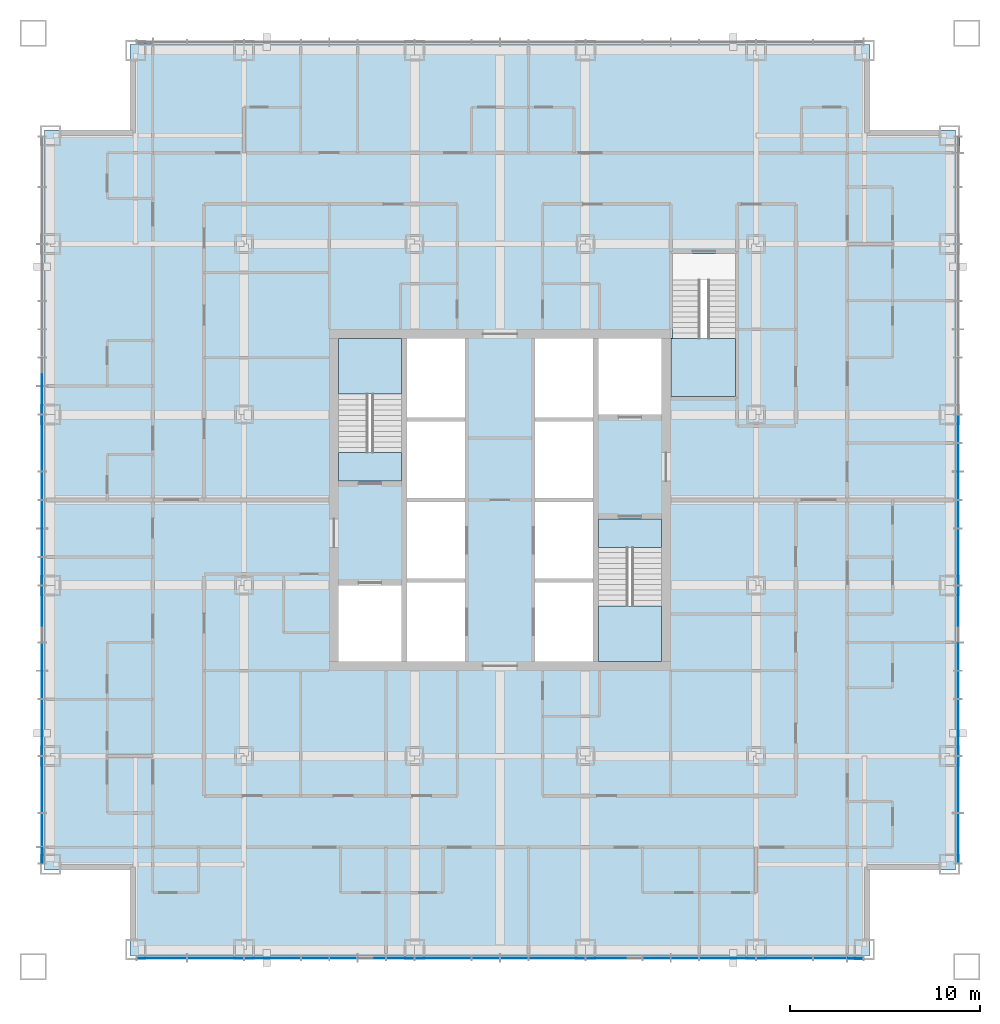
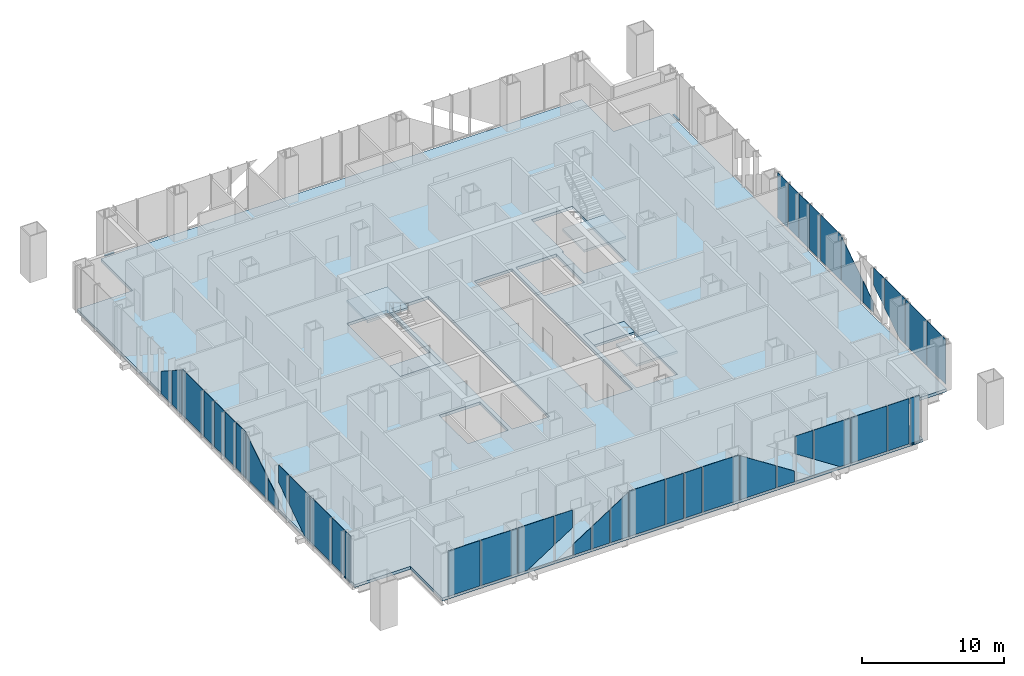
# One storey, part 7 of 14: 43 plates, 6 slabs, 4 members, 7 elements without a shape of their own.
"""IFC4 building model written with IfcOpenShell, lengths in metres."""

from ifc_helpers import new_model, si_unit, direction, frame, origin, origin_2d, place, context, subcontext, project, spatial, polyline, rectangle, outline, extrude, material, layer, layer_set, material_profile, profile_set, type_object, element, aggregate, save


model = new_model("IFC4")

# Units and contexts
model_context = context("Model", 3, precision=1e-05, world=origin(), true_north=direction((0.0, 1.0)))
body_context = subcontext(model_context, "Body", "Model", "MODEL_VIEW")
ifc_project = project(units=[si_unit("LENGTHUNIT", "METRE"), si_unit("AREAUNIT", "SQUARE_METRE"), si_unit("VOLUMEUNIT", "CUBIC_METRE"), si_unit("PLANEANGLEUNIT", "RADIAN"), si_unit("MASSUNIT", "GRAM", prefix="KILO")], contexts=[model_context])

# Site, building, storey
site_placement = place(None, origin())
site = spatial("IfcSite", under=ifc_project, at=site_placement, CompositionType="ELEMENT")
building_placement = place(site_placement, origin())
building = spatial("IfcBuilding", under=site, at=building_placement, Name="Malebo Sky Hospital", CompositionType="ELEMENT")
storey_placement = place(building_placement, frame((0.0, 0.0, 148.0)))
storey = spatial("IfcBuildingStorey", under=building, at=storey_placement, Name="L35", CompositionType="ELEMENT", Elevation=148.0)

# Curtain wall, member
ifc_material_1 = material(Name="Anodised aluminium, natural silver", Category="aluminium")
ifc_layer_1 = layer(ifc_material_1, 0.25)
ifc_layer_set_1 = layer_set([ifc_layer_1], Name="WARD CURTAIN WALL NORTH AND SOUTH")
curtain_wall_type_1 = type_object("IfcCurtainWallType", Name="WARD CURTAIN WALL NORTH AND SOUTH", PredefinedType="NOTDEFINED", material=ifc_layer_set_1)
curtain_wall_1_placement = place(storey_placement, origin())
curtain_wall_1 = element("IfcCurtainWall", 1, at=curtain_wall_1_placement, inside=storey, type_object=curtain_wall_type_1, Name="NS curtain wall N", PredefinedType="NOTDEFINED")
ifc_material_profile = material_profile(ifc_material_1, rectangle(XDim=0.14990234375, YDim=0.10009765625, at=origin_2d()), Name="ALUMINIUM TRANSOM 150x100")
ifc_profile_set = profile_set([ifc_material_profile], Name="Anodised aluminium, natural silver")
member_type = type_object("IfcMemberType", Name="ALUMINIUM TRANSOM 150x100", PredefinedType="USERDEFINED", material=ifc_profile_set)
member_1_placement = place(storey_placement, frame((40.875, 86.135009765625, 0.050048828125), z_axis=(1.0, 0.0, 0.0), x_axis=(0.0, 1.0, 0.0)))
member_1 = element("IfcMember", 2, at=member_1_placement, type_object=member_type, Name="Transom 1", ObjectType="TRANSOM", PredefinedType="USERDEFINED", context=body_context, shape_type="SweptSolid", body=[
    extrude(rectangle(XDim=0.14990234375, YDim=0.10009765625, at=origin_2d()), origin(), (0.0, 0.0, 1.0), 0.78759765625),
])
aggregate(curtain_wall_1, [member_1])

ifc_layer_2 = layer(ifc_material_1, 0.25)
ifc_layer_set_2 = layer_set([ifc_layer_2], Name="WARD CURTAIN WALL EAST AND WEST")
curtain_wall_type_2 = type_object("IfcCurtainWallType", Name="WARD CURTAIN WALL EAST AND WEST", PredefinedType="NOTDEFINED", material=ifc_layer_set_2)
curtain_wall_2_placement = place(storey_placement, origin())
curtain_wall_2 = element("IfcCurtainWall", 3, at=curtain_wall_2_placement, inside=storey, type_object=curtain_wall_type_2, Name="EW curtain wall W", PredefinedType="NOTDEFINED")
member_2_placement = place(storey_placement, frame((35.864990234375, 42.875, 0.050048828125), z_axis=(0.0, 1.0, 0.0), x_axis=(-1.0, 0.0, 0.0)))
member_2 = element("IfcMember", 4, at=member_2_placement, type_object=member_type, Name="Transom 1", ObjectType="TRANSOM", PredefinedType="USERDEFINED", context=body_context, shape_type="SweptSolid", body=[
    extrude(rectangle(XDim=0.14990234375, YDim=0.10009765625, at=origin_2d()), origin(), (0.0, 0.0, 1.0), 0.78759765625),
])

curtain_wall_3_placement = place(storey_placement, origin())
curtain_wall_3 = element("IfcCurtainWall", 5, at=curtain_wall_3_placement, inside=storey, type_object=curtain_wall_type_1, Name="NS curtain wall S", PredefinedType="NOTDEFINED")
member_3_placement = place(storey_placement, frame((79.125, 37.864990234375, 0.050048828125), z_axis=(-1.0, 0.0, 0.0), x_axis=(0.0, -1.0, 0.0)))
member_3 = element("IfcMember", 6, at=member_3_placement, type_object=member_type, Name="Transom 1", ObjectType="TRANSOM", PredefinedType="USERDEFINED", context=body_context, shape_type="SweptSolid", body=[
    extrude(rectangle(XDim=0.14990234375, YDim=0.10009765625, at=origin_2d()), origin(), (0.0, 0.0, 1.0), 0.78759765625),
])

curtain_wall_4_placement = place(storey_placement, origin())
curtain_wall_4 = element("IfcCurtainWall", 7, at=curtain_wall_4_placement, inside=storey, type_object=curtain_wall_type_2, Name="EW curtain wall E", PredefinedType="NOTDEFINED")
member_4_placement = place(storey_placement, frame((84.135009765625, 81.125, 0.050048828125), z_axis=(0.0, -1.0, 0.0), x_axis=(1.0, 0.0, 0.0)))
member_4 = element("IfcMember", 8, at=member_4_placement, type_object=member_type, Name="Transom 1", ObjectType="TRANSOM", PredefinedType="USERDEFINED", context=body_context, shape_type="SweptSolid", body=[
    extrude(rectangle(XDim=0.14990234375, YDim=0.10009765625, at=origin_2d()), origin(), (0.0, 0.0, 1.0), 0.78759765625),
])

# Slab
ifc_material_2 = material(Name="Concrete C40/50", Category="concrete")
ifc_layer_3 = layer(ifc_material_2, 0.25)
ifc_layer_set_3 = layer_set([ifc_layer_3], Name="COMPOSITE FLOOR SLAB 250")
slab_type_1 = type_object("IfcSlabType", Name="COMPOSITE FLOOR SLAB 250", PredefinedType="FLOOR", material=ifc_layer_set_3)
slab_1_placement = place(storey_placement, frame((0.0, 0.0, -0.25)))
element("IfcSlab", 9, at=slab_1_placement, inside=storey, type_object=slab_type_1, Name="Floor slab L35", PredefinedType="FLOOR", context=body_context, shape_type="SweptSolid", body=[
    extrude(outline(polyline([(40.5, 86.0), (40.5, 81.5), (36.0, 81.5), (36.0, 42.5), (40.5, 42.5), (40.5, 38.0), (79.5, 38.0), (79.5, 42.5), (84.0, 42.5), (84.0, 81.5), (79.5, 81.5), (79.5, 86.0), (40.5, 86.0)]), holes=[polyline([(55.10009765625, 70.5), (58.14990234375, 70.5), (58.14990234375, 53.5), (55.10009765625, 53.5), (55.10009765625, 70.5)]), polyline([(64.89990234375, 70.5), (64.89990234375, 53.5), (61.85009765625, 53.5), (61.85009765625, 70.5), (64.89990234375, 70.5)]), polyline([(54.800048828125, 63.0), (51.5, 63.0), (51.5, 70.5), (54.800048828125, 70.5), (54.800048828125, 63.0)]), polyline([(51.5, 53.5), (51.5, 57.5), (54.800048828125, 57.5), (54.800048828125, 53.5), (51.5, 53.5)]), polyline([(65.199951171875, 61.0), (68.5, 61.0), (68.5, 53.5), (65.199951171875, 53.5), (65.199951171875, 61.0)]), polyline([(68.5, 70.5), (68.5, 66.5), (65.199951171875, 66.5), (65.199951171875, 70.5), (68.5, 70.5)]), polyline([(69.0, 67.449951171875), (69.0, 70.52001953125), (69.10009765625, 70.52001953125), (69.10009765625, 75.0), (72.39990234375, 75.0), (72.39990234375, 67.449951171875), (69.10009765625, 67.449951171875), (69.0, 67.449951171875)])]), origin(), (0.0, 0.0, 1.0), 0.25),
])

# Stair, slabs
stair_type_1 = type_object("IfcStairType", Name="HALF-TURN STAIR 1500 R167", PredefinedType="HALF_TURN_STAIR", material=ifc_material_2)
stair_1_placement = place(storey_placement, origin())
stair_1 = element("IfcStair", 10, at=stair_1_placement, inside=storey, type_object=stair_type_1, Name="Stair S1 L35 type ST1", PredefinedType="HALF_TURN_STAIR")
ifc_layer_4 = layer(ifc_material_2, 0.199951171875)
ifc_layer_set_4 = layer_set([ifc_layer_4], Name="STAIR LANDING 200")
slab_type_2 = type_object("IfcSlabType", Name="STAIR LANDING 200", PredefinedType="LANDING", material=ifc_layer_set_4)
slab_2_placement = place(storey_placement, frame((0.0, 0.0, -0.199951171875)))
slab_2 = element("IfcSlab", 11, at=slab_2_placement, type_object=slab_type_2, Name="S1 landing 1", PredefinedType="LANDING", context=body_context, shape_type="SweptSolid", body=[
    extrude(outline(polyline([(51.5, 63.0), (54.800048828125, 63.0), (54.800048828125, 64.5), (51.5, 64.5), (51.5, 63.0)])), origin(), (0.0, 0.0, 1.0), 0.199951171875),
])
slab_3_placement = place(storey_placement, frame((0.0, 0.0, 1.800048828125)))
slab_3 = element("IfcSlab", 12, at=slab_3_placement, type_object=slab_type_2, Name="S1 landing 2", PredefinedType="LANDING", context=body_context, shape_type="SweptSolid", body=[
    extrude(outline(polyline([(51.5, 67.580078125), (54.800048828125, 67.580078125), (54.800048828125, 70.5), (51.5, 70.5), (51.5, 67.580078125)])), origin(), (0.0, 0.0, 1.0), 0.199951171875),
])
aggregate(stair_1, [slab_2, slab_3])

stair_2_placement = place(storey_placement, origin())
stair_2 = element("IfcStair", 13, at=stair_2_placement, inside=storey, type_object=stair_type_1, Name="Stair S2 L35 type ST1", PredefinedType="HALF_TURN_STAIR")
slab_4_placement = place(storey_placement, frame((0.0, 0.0, -0.199951171875)))
slab_4 = element("IfcSlab", 14, at=slab_4_placement, type_object=slab_type_2, Name="S2 landing 1", PredefinedType="LANDING", context=body_context, shape_type="SweptSolid", body=[
    extrude(outline(polyline([(65.199951171875, 59.5), (68.5, 59.5), (68.5, 61.0), (65.199951171875, 61.0), (65.199951171875, 59.5)])), origin(), (0.0, 0.0, 1.0), 0.199951171875),
])
slab_5_placement = place(storey_placement, frame((0.0, 0.0, 1.800048828125)))
slab_5 = element("IfcSlab", 15, at=slab_5_placement, type_object=slab_type_2, Name="S2 landing 2", PredefinedType="LANDING", context=body_context, shape_type="SweptSolid", body=[
    extrude(outline(polyline([(65.199951171875, 53.5), (68.5, 53.5), (68.5, 56.419921875), (65.199951171875, 56.419921875), (65.199951171875, 53.5)])), origin(), (0.0, 0.0, 1.0), 0.199951171875),
])
aggregate(stair_2, [slab_4, slab_5])

# Stair, slab
stair_type_2 = type_object("IfcStairType", Name="HALF-TURN STAIR 1400 R167", PredefinedType="HALF_TURN_STAIR", material=ifc_material_2)
stair_3_placement = place(storey_placement, origin())
stair_3 = element("IfcStair", 16, at=stair_3_placement, inside=storey, type_object=stair_type_2, Name="Stair S3 L35 type ST1B", PredefinedType="HALF_TURN_STAIR")
slab_6_placement = place(storey_placement, frame((0.0, 0.0, 1.800048828125)))
slab_6 = element("IfcSlab", 17, at=slab_6_placement, type_object=slab_type_2, Name="S3 landing 2", PredefinedType="LANDING", context=body_context, shape_type="SweptSolid", body=[
    extrude(outline(polyline([(69.0, 67.449951171875), (72.39990234375, 67.449951171875), (72.39990234375, 70.52001953125), (69.0, 70.52001953125), (69.0, 67.449951171875)])), origin(), (0.0, 0.0, 1.0), 0.199951171875),
])
aggregate(stair_3, [slab_6])

# Plate
ifc_material_3 = material(Name="Clear low-iron double glazing", Category="glass")
ifc_layer_5 = layer(ifc_material_3, 0.031982421875)
ifc_layer_set_5 = layer_set([ifc_layer_5], Name="VISION PANEL CLEAR 32")
plate_type = type_object("IfcPlateType", Name="VISION PANEL CLEAR 32", PredefinedType="CURTAIN_PANEL", material=ifc_layer_set_5)
plate_1_placement = place(storey_placement, frame((35.864990234375, 43.268798828125, 0.10009765625), z_axis=(0.0, 0.0, 1.0), x_axis=(0.0, 1.0, 0.0)))
plate_1 = element("IfcPlate", 18, at=plate_1_placement, type_object=plate_type, Name="Panel 1", PredefinedType="CURTAIN_PANEL", context=body_context, shape_type="SweptSolid", body=[
    extrude(rectangle(XDim=0.78759765625, YDim=0.031982421875, at=origin_2d()), origin(), (0.0, 0.0, 1.0), 3.889892578125),
])

plate_2_placement = place(storey_placement, frame((35.864990234375, 44.60009765625, 0.10009765625), z_axis=(0.0, 0.0, 1.0), x_axis=(0.0, 1.0, 0.0)))
plate_2 = element("IfcPlate", 19, at=plate_2_placement, type_object=plate_type, Name="Panel 2", PredefinedType="CURTAIN_PANEL", context=body_context, shape_type="SweptSolid", body=[
    extrude(rectangle(XDim=1.72509765625, YDim=0.031982421875, at=origin_2d()), origin(), (0.0, 0.0, 1.0), 3.889892578125),
])

plate_3_placement = place(storey_placement, frame((35.864990234375, 47.0, 0.10009765625), z_axis=(0.0, 0.0, 1.0), x_axis=(0.0, 1.0, 0.0)))
plate_3 = element("IfcPlate", 20, at=plate_3_placement, type_object=plate_type, Name="Panel 3", PredefinedType="CURTAIN_PANEL", context=body_context, shape_type="SweptSolid", body=[
    extrude(rectangle(XDim=2.925048828125, YDim=0.031982421875, at=origin_2d()), origin(), (0.0, 0.0, 1.0), 3.889892578125),
])

plate_4_placement = place(storey_placement, frame((35.864990234375, 50.0, 0.10009765625), z_axis=(0.0, 0.0, 1.0), x_axis=(0.0, 1.0, 0.0)))
plate_4 = element("IfcPlate", 21, at=plate_4_placement, type_object=plate_type, Name="Panel 4", PredefinedType="CURTAIN_PANEL", context=body_context, shape_type="SweptSolid", body=[
    extrude(outline(polyline([(-1.46240234375, 0.0), (-0.6787109375, 0.0), (1.46240234375, 1.392578125), (1.46240234375, 3.889892578125), (-1.46240234375, 3.889892578125), (-1.46240234375, 0.0)])), frame((0.0, 0.01611328125, 0.0), z_axis=(0.0, -1.0, 0.0), x_axis=(1.0, 0.0, 0.0)), (0.0, 0.0, 1.0), 0.031982421875),
])

plate_5_placement = place(storey_placement, frame((35.864990234375, 52.25, 1.54150390625), z_axis=(0.0, 0.0, 1.0), x_axis=(0.0, 1.0, 0.0)))
plate_5 = element("IfcPlate", 22, at=plate_5_placement, type_object=plate_type, Name="Panel 5", PredefinedType="CURTAIN_PANEL", context=body_context, shape_type="SweptSolid", body=[
    extrude(outline(polyline([(-0.71240234375, 0.0), (0.71240234375, 0.9267578125), (0.71240234375, 2.448486328125), (-0.71240234375, 2.448486328125), (-0.71240234375, 0.0)])), frame((0.0, 0.01611328125, 0.0), z_axis=(0.0, -1.0, 0.0), x_axis=(1.0, 0.0, 0.0)), (0.0, 0.0, 1.0), 0.031982421875),
])

plate_6_placement = place(storey_placement, frame((35.864990234375, 53.75, 0.099853515625), z_axis=(0.0, 0.0, 1.0), x_axis=(0.0, 1.0, 0.0)))
plate_6 = element("IfcPlate", 23, at=plate_6_placement, type_object=plate_type, Name="Panel 6", PredefinedType="CURTAIN_PANEL", context=body_context, shape_type="SweptSolid", body=[
    extrude(outline(polyline([(-0.71240234375, 0.0), (0.71240234375, 0.0), (0.71240234375, 1.8515625), (-0.71240234375, 0.9248046875), (-0.71240234375, 0.0)])), frame((0.0, 0.01611328125, 0.0), z_axis=(0.0, -1.0, 0.0), x_axis=(1.0, 0.0, 0.0)), (0.0, 0.0, 1.0), 0.031982421875),
])

plate_7_placement = place(storey_placement, frame((35.864990234375, 56.0, 0.10009765625), z_axis=(0.0, 0.0, 1.0), x_axis=(0.0, 1.0, 0.0)))
plate_7 = element("IfcPlate", 24, at=plate_7_placement, type_object=plate_type, Name="Panel 7", PredefinedType="CURTAIN_PANEL", context=body_context, shape_type="SweptSolid", body=[
    extrude(outline(polyline([(-1.46240234375, 0.0), (1.46240234375, 0.0), (1.46240234375, 3.802734375), (-1.46240234375, 1.900390625), (-1.46240234375, 0.0)])), frame((0.0, 0.01611328125, 0.0), z_axis=(0.0, -1.0, 0.0), x_axis=(1.0, 0.0, 0.0)), (0.0, 0.0, 1.0), 0.031982421875),
])

plate_8_placement = place(storey_placement, frame((35.864990234375, 58.25, 0.10009765625), z_axis=(0.0, 0.0, 1.0), x_axis=(0.0, 1.0, 0.0)))
plate_8 = element("IfcPlate", 25, at=plate_8_placement, type_object=plate_type, Name="Panel 8", PredefinedType="CURTAIN_PANEL", context=body_context, shape_type="SweptSolid", body=[
    extrude(outline(polyline([(-0.71240234375, 0.0), (0.71240234375, 0.0), (0.71240234375, 3.889892578125), (-0.6533203125, 3.889892578125), (-0.71240234375, 3.8515625), (-0.71240234375, 0.0)])), frame((0.0, 0.01611328125, 0.0), z_axis=(0.0, -1.0, 0.0), x_axis=(1.0, 0.0, 0.0)), (0.0, 0.0, 1.0), 0.031982421875),
])

plate_9_placement = place(storey_placement, frame((35.864990234375, 59.75, 0.10009765625), z_axis=(0.0, 0.0, 1.0), x_axis=(0.0, 1.0, 0.0)))
plate_9 = element("IfcPlate", 26, at=plate_9_placement, type_object=plate_type, Name="Panel 9", PredefinedType="CURTAIN_PANEL", context=body_context, shape_type="SweptSolid", body=[
    extrude(rectangle(XDim=1.425048828125, YDim=0.031982421875, at=origin_2d()), origin(), (0.0, 0.0, 1.0), 3.889892578125),
])

plate_10_placement = place(storey_placement, frame((35.864990234375, 61.25, 0.10009765625), z_axis=(0.0, 0.0, 1.0), x_axis=(0.0, 1.0, 0.0)))
plate_10 = element("IfcPlate", 27, at=plate_10_placement, type_object=plate_type, Name="Panel 10", PredefinedType="CURTAIN_PANEL", context=body_context, shape_type="SweptSolid", body=[
    extrude(rectangle(XDim=1.425048828125, YDim=0.031982421875, at=origin_2d()), origin(), (0.0, 0.0, 1.0), 3.889892578125),
])

plate_11_placement = place(storey_placement, frame((35.864990234375, 62.75, 0.10009765625), z_axis=(0.0, 0.0, 1.0), x_axis=(0.0, 1.0, 0.0)))
plate_11 = element("IfcPlate", 28, at=plate_11_placement, type_object=plate_type, Name="Panel 11", PredefinedType="CURTAIN_PANEL", context=body_context, shape_type="SweptSolid", body=[
    extrude(rectangle(XDim=1.425048828125, YDim=0.031982421875, at=origin_2d()), origin(), (0.0, 0.0, 1.0), 3.889892578125),
])

plate_12_placement = place(storey_placement, frame((35.864990234375, 65.0, 0.10009765625), z_axis=(0.0, 0.0, 1.0), x_axis=(0.0, 1.0, 0.0)))
plate_12 = element("IfcPlate", 29, at=plate_12_placement, type_object=plate_type, Name="Panel 12", PredefinedType="CURTAIN_PANEL", context=body_context, shape_type="SweptSolid", body=[
    extrude(outline(polyline([(-1.46240234375, 0.0), (1.46240234375, 0.0), (1.46240234375, 3.8515625), (1.4033203125, 3.889892578125), (-1.46240234375, 3.889892578125), (-1.46240234375, 0.0)])), frame((0.0, 0.01611328125, 0.0), z_axis=(0.0, -1.0, 0.0), x_axis=(1.0, 0.0, 0.0)), (0.0, 0.0, 1.0), 0.031982421875),
])

plate_13_placement = place(storey_placement, frame((35.864990234375, 67.25, 0.10009765625), z_axis=(0.0, 0.0, 1.0), x_axis=(0.0, 1.0, 0.0)))
plate_13 = element("IfcPlate", 30, at=plate_13_placement, type_object=plate_type, Name="Panel 13", PredefinedType="CURTAIN_PANEL", context=body_context, shape_type="SweptSolid", body=[
    extrude(outline(polyline([(-0.71240234375, 0.0), (0.71240234375, 0.0), (0.71240234375, 2.8759765625), (-0.71240234375, 3.802734375), (-0.71240234375, 0.0)])), frame((0.0, 0.01611328125, 0.0), z_axis=(0.0, -1.0, 0.0), x_axis=(1.0, 0.0, 0.0)), (0.0, 0.0, 1.0), 0.031982421875),
])

plate_14_placement = place(storey_placement, frame((35.864990234375, 68.75, 0.10009765625), z_axis=(0.0, 0.0, 1.0), x_axis=(0.0, 1.0, 0.0)))
plate_14 = element("IfcPlate", 31, at=plate_14_placement, type_object=plate_type, Name="Panel 14", PredefinedType="CURTAIN_PANEL", context=body_context, shape_type="SweptSolid", body=[
    extrude(outline(polyline([(-0.71240234375, 0.0), (0.71240234375, 0.0), (0.71240234375, 1.900390625), (-0.71240234375, 2.8271484375), (-0.71240234375, 0.0)])), frame((0.0, 0.01611328125, 0.0), z_axis=(0.0, -1.0, 0.0), x_axis=(1.0, 0.0, 0.0)), (0.0, 0.0, 1.0), 0.031982421875),
])

aggregate(curtain_wall_2, [member_2, plate_1, plate_2, plate_3, plate_4, plate_5, plate_6, plate_7, plate_8, plate_9, plate_10, plate_11, plate_12, plate_13, plate_14])

plate_15_placement = place(storey_placement, frame((78.731201171875, 37.864990234375, 0.10009765625), z_axis=(0.0, 0.0, 1.0), x_axis=(-1.0, 0.0, 0.0)))
plate_15 = element("IfcPlate", 32, at=plate_15_placement, type_object=plate_type, Name="Panel 1", PredefinedType="CURTAIN_PANEL", context=body_context, shape_type="SweptSolid", body=[
    extrude(rectangle(XDim=0.78759765625, YDim=0.031982421875, at=origin_2d()), origin(), (0.0, 0.0, 1.0), 3.889892578125),
])

plate_16_placement = place(storey_placement, frame((77.39990234375, 37.864990234375, 0.10009765625), z_axis=(0.0, 0.0, 1.0), x_axis=(-1.0, 0.0, 0.0)))
plate_16 = element("IfcPlate", 33, at=plate_16_placement, type_object=plate_type, Name="Panel 2", PredefinedType="CURTAIN_PANEL", context=body_context, shape_type="SweptSolid", body=[
    extrude(rectangle(XDim=1.72509765625, YDim=0.031982421875, at=origin_2d()), origin(), (0.0, 0.0, 1.0), 3.889892578125),
])

plate_17_placement = place(storey_placement, frame((75.0, 37.864990234375, 0.10009765625), z_axis=(0.0, 0.0, 1.0), x_axis=(-1.0, 0.0, 0.0)))
plate_17 = element("IfcPlate", 34, at=plate_17_placement, type_object=plate_type, Name="Panel 3", PredefinedType="CURTAIN_PANEL", context=body_context, shape_type="SweptSolid", body=[
    extrude(rectangle(XDim=2.925048828125, YDim=0.031982421875, at=origin_2d()), origin(), (0.0, 0.0, 1.0), 3.889892578125),
])

plate_18_placement = place(storey_placement, frame((72.0, 37.864990234375, 0.10009765625), z_axis=(0.0, 0.0, 1.0), x_axis=(-1.0, 0.0, 0.0)))
plate_18 = element("IfcPlate", 35, at=plate_18_placement, type_object=plate_type, Name="Panel 4", PredefinedType="CURTAIN_PANEL", context=body_context, shape_type="SweptSolid", body=[
    extrude(outline(polyline([(-1.46240234375, 0.0), (-0.6787109375, 0.0), (1.46240234375, 1.392578125), (1.46240234375, 3.889892578125), (-1.46240234375, 3.889892578125), (-1.46240234375, 0.0)])), frame((0.0, 0.01611328125, 0.0), z_axis=(0.0, -1.0, 0.0), x_axis=(1.0, 0.0, 0.0)), (0.0, 0.0, 1.0), 0.031982421875),
])

plate_19_placement = place(storey_placement, frame((69.75, 37.864990234375, 1.54150390625), z_axis=(0.0, 0.0, 1.0), x_axis=(-1.0, 0.0, 0.0)))
plate_19 = element("IfcPlate", 36, at=plate_19_placement, type_object=plate_type, Name="Panel 5", PredefinedType="CURTAIN_PANEL", context=body_context, shape_type="SweptSolid", body=[
    extrude(outline(polyline([(-0.71240234375, 0.0), (0.71240234375, 0.9267578125), (0.71240234375, 2.448486328125), (-0.71240234375, 2.448486328125), (-0.71240234375, 0.0)])), frame((0.0, 0.01611328125, 0.0), z_axis=(0.0, -1.0, 0.0), x_axis=(1.0, 0.0, 0.0)), (0.0, 0.0, 1.0), 0.031982421875),
])

plate_20_placement = place(storey_placement, frame((68.25, 37.864990234375, 0.099853515625), z_axis=(0.0, 0.0, 1.0), x_axis=(-1.0, 0.0, 0.0)))
plate_20 = element("IfcPlate", 37, at=plate_20_placement, type_object=plate_type, Name="Panel 6", PredefinedType="CURTAIN_PANEL", context=body_context, shape_type="SweptSolid", body=[
    extrude(outline(polyline([(-0.71240234375, 0.0), (0.71240234375, 0.0), (0.71240234375, 1.8515625), (-0.71240234375, 0.9248046875), (-0.71240234375, 0.0)])), frame((0.0, 0.01611328125, 0.0), z_axis=(0.0, -1.0, 0.0), x_axis=(1.0, 0.0, 0.0)), (0.0, 0.0, 1.0), 0.031982421875),
])

plate_21_placement = place(storey_placement, frame((66.0, 37.864990234375, 0.10009765625), z_axis=(0.0, 0.0, 1.0), x_axis=(-1.0, 0.0, 0.0)))
plate_21 = element("IfcPlate", 38, at=plate_21_placement, type_object=plate_type, Name="Panel 7", PredefinedType="CURTAIN_PANEL", context=body_context, shape_type="SweptSolid", body=[
    extrude(outline(polyline([(-1.46240234375, 0.0), (1.46240234375, 0.0), (1.46240234375, 3.802734375), (-1.46240234375, 1.900390625), (-1.46240234375, 0.0)])), frame((0.0, 0.01611328125, 0.0), z_axis=(0.0, -1.0, 0.0), x_axis=(1.0, 0.0, 0.0)), (0.0, 0.0, 1.0), 0.031982421875),
])

plate_22_placement = place(storey_placement, frame((63.0, 37.864990234375, 0.10009765625), z_axis=(0.0, 0.0, 1.0), x_axis=(-1.0, 0.0, 0.0)))
plate_22 = element("IfcPlate", 39, at=plate_22_placement, type_object=plate_type, Name="Panel 8", PredefinedType="CURTAIN_PANEL", context=body_context, shape_type="SweptSolid", body=[
    extrude(outline(polyline([(-1.46240234375, 0.0), (1.46240234375, 0.0), (1.46240234375, 3.889892578125), (-1.4033203125, 3.889892578125), (-1.46240234375, 3.8515625), (-1.46240234375, 0.0)])), frame((0.0, 0.01611328125, 0.0), z_axis=(0.0, -1.0, 0.0), x_axis=(1.0, 0.0, 0.0)), (0.0, 0.0, 1.0), 0.031982421875),
])

plate_23_placement = place(storey_placement, frame((60.75, 37.864990234375, 0.10009765625), z_axis=(0.0, 0.0, 1.0), x_axis=(-1.0, 0.0, 0.0)))
plate_23 = element("IfcPlate", 40, at=plate_23_placement, type_object=plate_type, Name="Panel 9", PredefinedType="CURTAIN_PANEL", context=body_context, shape_type="SweptSolid", body=[
    extrude(rectangle(XDim=1.425048828125, YDim=0.031982421875, at=origin_2d()), origin(), (0.0, 0.0, 1.0), 3.889892578125),
])

plate_24_placement = place(storey_placement, frame((59.25, 37.864990234375, 0.10009765625), z_axis=(0.0, 0.0, 1.0), x_axis=(-1.0, 0.0, 0.0)))
plate_24 = element("IfcPlate", 41, at=plate_24_placement, type_object=plate_type, Name="Panel 10", PredefinedType="CURTAIN_PANEL", context=body_context, shape_type="SweptSolid", body=[
    extrude(rectangle(XDim=1.425048828125, YDim=0.031982421875, at=origin_2d()), origin(), (0.0, 0.0, 1.0), 3.889892578125),
])

plate_25_placement = place(storey_placement, frame((57.0, 37.864990234375, 0.10009765625), z_axis=(0.0, 0.0, 1.0), x_axis=(-1.0, 0.0, 0.0)))
plate_25 = element("IfcPlate", 42, at=plate_25_placement, type_object=plate_type, Name="Panel 11", PredefinedType="CURTAIN_PANEL", context=body_context, shape_type="SweptSolid", body=[
    extrude(outline(polyline([(-1.46240234375, 0.0), (1.46240234375, 0.0), (1.46240234375, 3.8515625), (1.4033203125, 3.889892578125), (-1.46240234375, 3.889892578125), (-1.46240234375, 0.0)])), frame((0.0, 0.01611328125, 0.0), z_axis=(0.0, -1.0, 0.0), x_axis=(1.0, 0.0, 0.0)), (0.0, 0.0, 1.0), 0.031982421875),
])

plate_26_placement = place(storey_placement, frame((54.75, 37.864990234375, 0.10009765625), z_axis=(0.0, 0.0, 1.0), x_axis=(-1.0, 0.0, 0.0)))
plate_26 = element("IfcPlate", 43, at=plate_26_placement, type_object=plate_type, Name="Panel 12", PredefinedType="CURTAIN_PANEL", context=body_context, shape_type="SweptSolid", body=[
    extrude(outline(polyline([(-0.71240234375, 0.0), (0.71240234375, 0.0), (0.71240234375, 2.8759765625), (-0.71240234375, 3.802734375), (-0.71240234375, 0.0)])), frame((0.0, 0.01611328125, 0.0), z_axis=(0.0, -1.0, 0.0), x_axis=(1.0, 0.0, 0.0)), (0.0, 0.0, 1.0), 0.031982421875),
])

plate_27_placement = place(storey_placement, frame((53.25, 37.864990234375, 0.10009765625), z_axis=(0.0, 0.0, 1.0), x_axis=(-1.0, 0.0, 0.0)))
plate_27 = element("IfcPlate", 44, at=plate_27_placement, type_object=plate_type, Name="Panel 13", PredefinedType="CURTAIN_PANEL", context=body_context, shape_type="SweptSolid", body=[
    extrude(outline(polyline([(-0.71240234375, 0.0), (0.71240234375, 0.0), (0.71240234375, 1.900390625), (-0.71240234375, 2.8271484375), (-0.71240234375, 0.0)])), frame((0.0, 0.01611328125, 0.0), z_axis=(0.0, -1.0, 0.0), x_axis=(1.0, 0.0, 0.0)), (0.0, 0.0, 1.0), 0.031982421875),
])

plate_28_placement = place(storey_placement, frame((51.75, 37.864990234375, 0.099853515625), z_axis=(0.0, 0.0, 1.0), x_axis=(-1.0, 0.0, 0.0)))
plate_28 = element("IfcPlate", 45, at=plate_28_placement, type_object=plate_type, Name="Panel 14", PredefinedType="CURTAIN_PANEL", context=body_context, shape_type="SweptSolid", body=[
    extrude(outline(polyline([(-0.71240234375, 0.0), (0.71240234375, 0.0), (0.71240234375, 0.9248046875), (-0.71240234375, 1.8515625), (-0.71240234375, 0.0)])), frame((0.0, 0.01611328125, 0.0), z_axis=(0.0, -1.0, 0.0), x_axis=(1.0, 0.0, 0.0)), (0.0, 0.0, 1.0), 0.031982421875),
])

plate_29_placement = place(storey_placement, frame((50.25, 37.864990234375, 1.54150390625), z_axis=(0.0, 0.0, 1.0), x_axis=(-1.0, 0.0, 0.0)))
plate_29 = element("IfcPlate", 46, at=plate_29_placement, type_object=plate_type, Name="Panel 15", PredefinedType="CURTAIN_PANEL", context=body_context, shape_type="SweptSolid", body=[
    extrude(outline(polyline([(0.71240234375, 0.0), (0.71240234375, 2.448486328125), (-0.71240234375, 2.448486328125), (-0.71240234375, 0.9267578125), (0.71240234375, 0.0)])), frame((0.0, 0.01611328125, 0.0), z_axis=(0.0, -1.0, 0.0), x_axis=(1.0, 0.0, 0.0)), (0.0, 0.0, 1.0), 0.031982421875),
])

plate_30_placement = place(storey_placement, frame((48.0, 37.864990234375, 0.10009765625), z_axis=(0.0, 0.0, 1.0), x_axis=(-1.0, 0.0, 0.0)))
plate_30 = element("IfcPlate", 47, at=plate_30_placement, type_object=plate_type, Name="Panel 16", PredefinedType="CURTAIN_PANEL", context=body_context, shape_type="SweptSolid", body=[
    extrude(outline(polyline([(0.6787109375, 0.0), (1.46240234375, 0.0), (1.46240234375, 3.889892578125), (-1.46240234375, 3.889892578125), (-1.46240234375, 1.392578125), (0.6787109375, 0.0)])), frame((0.0, 0.01611328125, 0.0), z_axis=(0.0, -1.0, 0.0), x_axis=(1.0, 0.0, 0.0)), (0.0, 0.0, 1.0), 0.031982421875),
])

plate_31_placement = place(storey_placement, frame((45.0, 37.864990234375, 0.10009765625), z_axis=(0.0, 0.0, 1.0), x_axis=(-1.0, 0.0, 0.0)))
plate_31 = element("IfcPlate", 48, at=plate_31_placement, type_object=plate_type, Name="Panel 17", PredefinedType="CURTAIN_PANEL", context=body_context, shape_type="SweptSolid", body=[
    extrude(rectangle(XDim=2.925048828125, YDim=0.031982421875, at=origin_2d()), origin(), (0.0, 0.0, 1.0), 3.889892578125),
])

plate_32_placement = place(storey_placement, frame((42.168701171875, 37.864990234375, 0.10009765625), z_axis=(0.0, 0.0, 1.0), x_axis=(-1.0, 0.0, 0.0)))
plate_32 = element("IfcPlate", 49, at=plate_32_placement, type_object=plate_type, Name="Panel 18", PredefinedType="CURTAIN_PANEL", context=body_context, shape_type="SweptSolid", body=[
    extrude(rectangle(XDim=2.58740234375, YDim=0.031982421875, at=origin_2d()), origin(), (0.0, 0.0, 1.0), 3.889892578125),
])

aggregate(curtain_wall_3, [member_3, plate_15, plate_16, plate_17, plate_18, plate_19, plate_20, plate_21, plate_22, plate_23, plate_24, plate_25, plate_26, plate_27, plate_28, plate_29, plate_30, plate_31, plate_32])

plate_33_placement = place(storey_placement, frame((84.135009765625, 65.75, 0.10009765625), z_axis=(0.0, 0.0, 1.0), x_axis=(0.0, -1.0, 0.0)))
plate_33 = element("IfcPlate", 50, at=plate_33_placement, type_object=plate_type, Name="Panel 8", PredefinedType="CURTAIN_PANEL", context=body_context, shape_type="SweptSolid", body=[
    extrude(outline(polyline([(-0.71240234375, 0.0), (0.71240234375, 0.0), (0.71240234375, 3.889892578125), (-0.6533203125, 3.889892578125), (-0.71240234375, 3.8515625), (-0.71240234375, 0.0)])), frame((0.0, 0.01611328125, 0.0), z_axis=(0.0, -1.0, 0.0), x_axis=(1.0, 0.0, 0.0)), (0.0, 0.0, 1.0), 0.031982421875),
])

plate_34_placement = place(storey_placement, frame((84.135009765625, 64.25, 0.10009765625), z_axis=(0.0, 0.0, 1.0), x_axis=(0.0, -1.0, 0.0)))
plate_34 = element("IfcPlate", 51, at=plate_34_placement, type_object=plate_type, Name="Panel 9", PredefinedType="CURTAIN_PANEL", context=body_context, shape_type="SweptSolid", body=[
    extrude(rectangle(XDim=1.425048828125, YDim=0.031982421875, at=origin_2d()), origin(), (0.0, 0.0, 1.0), 3.889892578125),
])

plate_35_placement = place(storey_placement, frame((84.135009765625, 62.75, 0.10009765625), z_axis=(0.0, 0.0, 1.0), x_axis=(0.0, -1.0, 0.0)))
plate_35 = element("IfcPlate", 52, at=plate_35_placement, type_object=plate_type, Name="Panel 10", PredefinedType="CURTAIN_PANEL", context=body_context, shape_type="SweptSolid", body=[
    extrude(rectangle(XDim=1.425048828125, YDim=0.031982421875, at=origin_2d()), origin(), (0.0, 0.0, 1.0), 3.889892578125),
])

plate_36_placement = place(storey_placement, frame((84.135009765625, 61.25, 0.10009765625), z_axis=(0.0, 0.0, 1.0), x_axis=(0.0, -1.0, 0.0)))
plate_36 = element("IfcPlate", 53, at=plate_36_placement, type_object=plate_type, Name="Panel 11", PredefinedType="CURTAIN_PANEL", context=body_context, shape_type="SweptSolid", body=[
    extrude(rectangle(XDim=1.425048828125, YDim=0.031982421875, at=origin_2d()), origin(), (0.0, 0.0, 1.0), 3.889892578125),
])

plate_37_placement = place(storey_placement, frame((84.135009765625, 59.0, 0.10009765625), z_axis=(0.0, 0.0, 1.0), x_axis=(0.0, -1.0, 0.0)))
plate_37 = element("IfcPlate", 54, at=plate_37_placement, type_object=plate_type, Name="Panel 12", PredefinedType="CURTAIN_PANEL", context=body_context, shape_type="SweptSolid", body=[
    extrude(outline(polyline([(-1.46240234375, 0.0), (1.46240234375, 0.0), (1.46240234375, 3.8515625), (1.4033203125, 3.889892578125), (-1.46240234375, 3.889892578125), (-1.46240234375, 0.0)])), frame((0.0, 0.01611328125, 0.0), z_axis=(0.0, -1.0, 0.0), x_axis=(1.0, 0.0, 0.0)), (0.0, 0.0, 1.0), 0.031982421875),
])

plate_38_placement = place(storey_placement, frame((84.135009765625, 56.0, 0.10009765625), z_axis=(0.0, 0.0, 1.0), x_axis=(0.0, -1.0, 0.0)))
plate_38 = element("IfcPlate", 55, at=plate_38_placement, type_object=plate_type, Name="Panel 13", PredefinedType="CURTAIN_PANEL", context=body_context, shape_type="SweptSolid", body=[
    extrude(outline(polyline([(-1.46240234375, 0.0), (1.46240234375, 0.0), (1.46240234375, 1.900390625), (-1.46240234375, 3.802734375), (-1.46240234375, 0.0)])), frame((0.0, 0.01611328125, 0.0), z_axis=(0.0, -1.0, 0.0), x_axis=(1.0, 0.0, 0.0)), (0.0, 0.0, 1.0), 0.031982421875),
])

plate_39_placement = place(storey_placement, frame((84.135009765625, 53.75, 0.099853515625), z_axis=(0.0, 0.0, 1.0), x_axis=(0.0, -1.0, 0.0)))
plate_39 = element("IfcPlate", 56, at=plate_39_placement, type_object=plate_type, Name="Panel 14", PredefinedType="CURTAIN_PANEL", context=body_context, shape_type="SweptSolid", body=[
    extrude(outline(polyline([(-0.71240234375, 0.0), (0.71240234375, 0.0), (0.71240234375, 0.9248046875), (-0.71240234375, 1.8515625), (-0.71240234375, 0.0)])), frame((0.0, 0.01611328125, 0.0), z_axis=(0.0, -1.0, 0.0), x_axis=(1.0, 0.0, 0.0)), (0.0, 0.0, 1.0), 0.031982421875),
])

plate_40_placement = place(storey_placement, frame((84.135009765625, 52.25, 1.54150390625), z_axis=(0.0, 0.0, 1.0), x_axis=(0.0, -1.0, 0.0)))
plate_40 = element("IfcPlate", 57, at=plate_40_placement, type_object=plate_type, Name="Panel 15", PredefinedType="CURTAIN_PANEL", context=body_context, shape_type="SweptSolid", body=[
    extrude(outline(polyline([(0.71240234375, 0.0), (0.71240234375, 2.448486328125), (-0.71240234375, 2.448486328125), (-0.71240234375, 0.9267578125), (0.71240234375, 0.0)])), frame((0.0, 0.01611328125, 0.0), z_axis=(0.0, -1.0, 0.0), x_axis=(1.0, 0.0, 0.0)), (0.0, 0.0, 1.0), 0.031982421875),
])

plate_41_placement = place(storey_placement, frame((84.135009765625, 50.0, 0.10009765625), z_axis=(0.0, 0.0, 1.0), x_axis=(0.0, -1.0, 0.0)))
plate_41 = element("IfcPlate", 58, at=plate_41_placement, type_object=plate_type, Name="Panel 16", PredefinedType="CURTAIN_PANEL", context=body_context, shape_type="SweptSolid", body=[
    extrude(outline(polyline([(0.6787109375, 0.0), (1.46240234375, 0.0), (1.46240234375, 3.889892578125), (-1.46240234375, 3.889892578125), (-1.46240234375, 1.392578125), (0.6787109375, 0.0)])), frame((0.0, 0.01611328125, 0.0), z_axis=(0.0, -1.0, 0.0), x_axis=(1.0, 0.0, 0.0)), (0.0, 0.0, 1.0), 0.031982421875),
])

plate_42_placement = place(storey_placement, frame((84.135009765625, 47.0, 0.10009765625), z_axis=(0.0, 0.0, 1.0), x_axis=(0.0, -1.0, 0.0)))
plate_42 = element("IfcPlate", 59, at=plate_42_placement, type_object=plate_type, Name="Panel 17", PredefinedType="CURTAIN_PANEL", context=body_context, shape_type="SweptSolid", body=[
    extrude(rectangle(XDim=2.925048828125, YDim=0.031982421875, at=origin_2d()), origin(), (0.0, 0.0, 1.0), 3.889892578125),
])

plate_43_placement = place(storey_placement, frame((84.135009765625, 44.168701171875, 0.10009765625), z_axis=(0.0, 0.0, 1.0), x_axis=(0.0, -1.0, 0.0)))
plate_43 = element("IfcPlate", 60, at=plate_43_placement, type_object=plate_type, Name="Panel 18", PredefinedType="CURTAIN_PANEL", context=body_context, shape_type="SweptSolid", body=[
    extrude(rectangle(XDim=2.58740234375, YDim=0.031982421875, at=origin_2d()), origin(), (0.0, 0.0, 1.0), 3.889892578125),
])

aggregate(curtain_wall_4, [member_4, plate_33, plate_34, plate_35, plate_36, plate_37, plate_38, plate_39, plate_40, plate_41, plate_42, plate_43])

save(model, "model.ifc")
